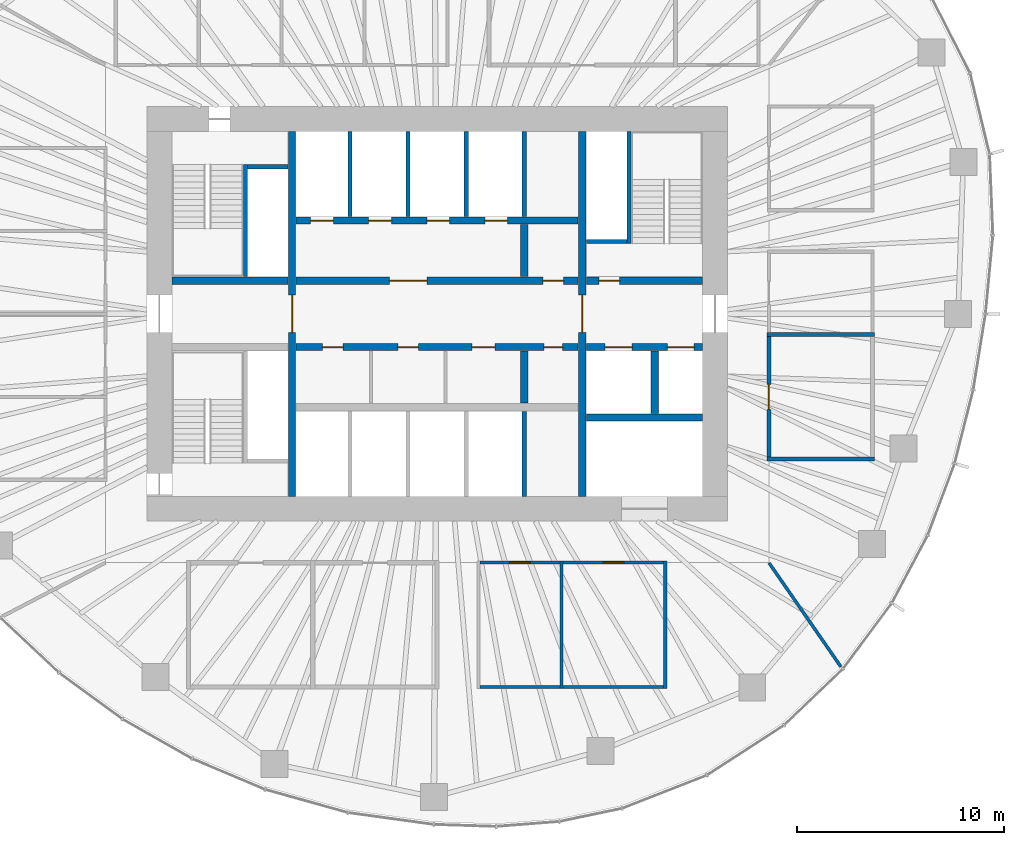
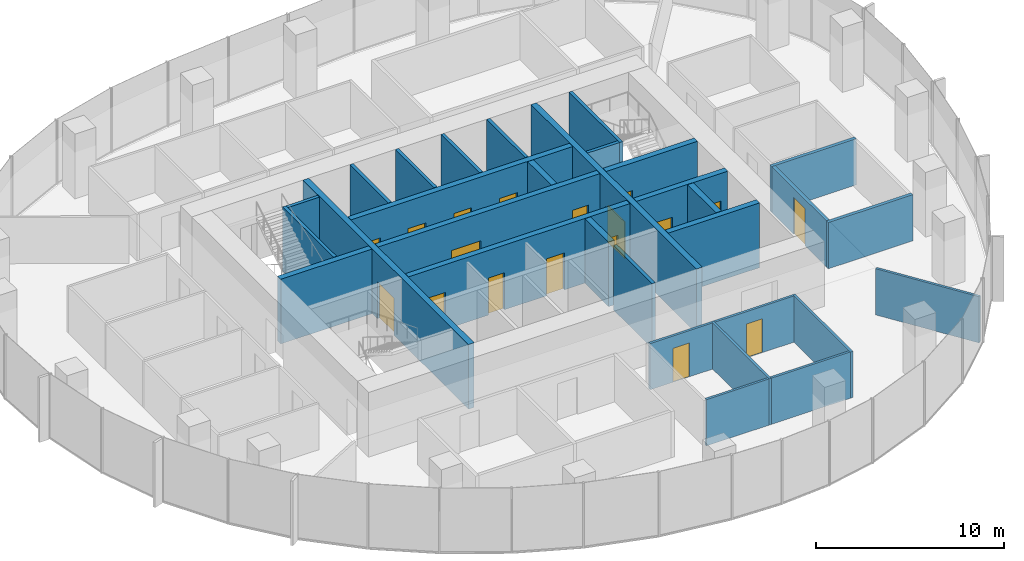
# One storey, part 9 of 12: 31 walls, 18 doors, 18 openings.
"""IFC4 building model written with IfcOpenShell, lengths in metres."""

from ifc_helpers import new_model, si_unit, direction, frame, frame_2d, origin, place, context, subcontext, project, spatial, rectangle, extrude, material, layer, layer_set, type_object, element, fill, save


model = new_model("IFC4")

# Units and contexts
model_context = context("Model", 3, precision=1e-05, world=origin(), true_north=direction((0.0, 1.0)))
body_context = subcontext(model_context, "Body", "Model", "MODEL_VIEW")
ifc_project = project(units=[si_unit("LENGTHUNIT", "METRE"), si_unit("AREAUNIT", "SQUARE_METRE"), si_unit("VOLUMEUNIT", "CUBIC_METRE"), si_unit("PLANEANGLEUNIT", "RADIAN"), si_unit("MASSUNIT", "GRAM", prefix="KILO")], contexts=[model_context])

# Site, building, storey
site_placement = place(None, origin())
site = spatial("IfcSite", under=ifc_project, at=site_placement, CompositionType="ELEMENT")
building_placement = place(site_placement, origin())
building = spatial("IfcBuilding", under=site, at=building_placement, Name="Ghaith Harvest Tower", CompositionType="ELEMENT")
storey_placement = place(building_placement, frame((0.0, 0.0, 199.0)))
storey = spatial("IfcBuildingStorey", under=building, at=storey_placement, Name="L43", CompositionType="ELEMENT", Elevation=199.0)

# Walls
ifc_material_1 = material(Name="Twin-stud gypsum board, acoustic", Category="gypsum")
ifc_layer_1 = layer(ifc_material_1, 0.199951171875)
ifc_layer_set_1 = layer_set([ifc_layer_1], Name="ACOUSTIC PARTITION 200")
wall_type_1 = type_object("IfcWallType", Name="ACOUSTIC PARTITION 200", PredefinedType="PARTITIONING", material=ifc_layer_set_1)
for number, where, z_axis, x_axis, name in (
    (1, (15.89990234375, -7.0, 0.0), (0.0, 0.0, 1.0), (1.0, 0.0, 0.0), "Partition L43 row E5 cross wall 1"),
    (2, (15.89990234375, -1.0, 0.0), (0.0, 0.0, 1.0), (1.0, 0.0, 0.0), "Partition L43 row E5 cross wall 2"),
):
    element("IfcWall", number, at=place(storey_placement, frame(where, z_axis=z_axis, x_axis=x_axis)), inside=storey, type_object=wall_type_1, Name=name, PredefinedType="PARTITIONING", context=body_context, shape_type="SweptSolid", body=[
        extrude(rectangle(XDim=5.2001953125, YDim=0.199951171875, at=frame_2d((2.60009765625, 0.0))), origin(), (0.0, 0.0, 1.0), 3.0),
    ])

# Wall, opening, door
wall_1_placement = place(storey_placement, frame((16.0, -6.89990234375, 0.0), z_axis=(0.0, 0.0, 1.0), x_axis=(0.0, 1.0, 0.0)))
wall_1 = element("IfcWall", 3, at=wall_1_placement, inside=storey, type_object=wall_type_1, Name="Partition L43-11", PredefinedType="PARTITIONING", context=body_context, shape_type="SweptSolid", body=[
    extrude(rectangle(XDim=5.7998046875, YDim=0.199951171875, at=frame_2d((2.89990234375, 0.0))), origin(), (0.0, 0.0, 1.0), 3.0),
])
opening_1_placement = place(wall_1_placement, frame((2.300048828125, 0.0, 0.0)))
opening_1 = element("IfcOpeningElement", 4, at=opening_1_placement, cuts=wall_1, Name="Opening 43-031", PredefinedType="OPENING", context=body_context, shape_type="SweptSolid", body=[
    extrude(rectangle(XDim=1.199951171875, YDim=2.39990234375, at=frame_2d((0.60009765625, 1.199951171875))), frame((0.0, 0.10986328125, 0.0), z_axis=(0.0, -1.0, 0.0), x_axis=(1.0, 0.0, 0.0)), (0.0, 0.0, 1.0), 0.219970703125),
])
ifc_material_2 = material(Name="Timber door", Category="wood")
door_type_1 = type_object("IfcDoorType", Name="D11 GLAZED 1200x2400", OperationType="SINGLE_SWING_LEFT", PredefinedType="DOOR", material=ifc_material_2)
door_1_placement = place(opening_1_placement, origin())
door_1 = element("IfcDoor", 5, at=door_1_placement, inside=storey, type_object=door_type_1, Name="Meeting room door", OperationType="SINGLE_SWING_LEFT", OverallHeight=2.39990234375, OverallWidth=1.199951171875, PredefinedType="DOOR", context=body_context, shape_type="SweptSolid", body=[
    extrude(rectangle(XDim=1.199951171875, YDim=2.39990234375, at=frame_2d((0.60009765625, 1.199951171875))), frame((0.0, 0.02490234375, 0.0), z_axis=(0.0, -1.0, 0.0), x_axis=(1.0, 0.0, 0.0)), (0.0, 0.0, 1.0), 0.050048828125),
])
fill(opening_1, door_1)

# Walls
ifc_material_3 = material(Name="Concrete blockwork, 2-hour", Category="masonry")
ifc_layer_2 = layer(ifc_material_3, 0.199951171875)
ifc_layer_set_2 = layer_set([ifc_layer_2], Name="LIFT SHAFT WALL 200")
wall_type_2 = type_object("IfcWallType", Name="LIFT SHAFT WALL 200", PredefinedType="PARTITIONING", material=ifc_layer_set_2)
for number, where, z_axis, x_axis, name in (
    (6, (-4.199951171875, 4.699951171875, 0.0), (0.0, 0.0, 1.0), (0.0, 1.0, 0.0), "Lift shaft wall L43"),
    (7, (-1.39990234375, 4.699951171875, 0.0), (0.0, 0.0, 1.0), (0.0, 1.0, 0.0), "Lift shaft wall L43"),
    (8, (1.39990234375, 4.699951171875, 0.0), (0.0, 0.0, 1.0), (0.0, 1.0, 0.0), "Lift shaft wall L43"),
    (9, (4.199951171875, 4.699951171875, 0.0), (0.0, 0.0, 1.0), (0.0, 1.0, 0.0), "Lift shaft wall L43"),
    (10, (4.199951171875, -4.699951171875, 0.0), (0.0, 0.0, 1.0), (0.0, -1.0, 0.0), "Lift shaft wall L43"),
):
    element("IfcWall", number, at=place(storey_placement, frame(where, z_axis=z_axis, x_axis=x_axis)), inside=storey, type_object=wall_type_2, Name=name, PredefinedType="PARTITIONING", context=body_context, shape_type="SweptSolid", body=[
        extrude(rectangle(XDim=4.10009765625, YDim=0.199951171875, at=frame_2d((2.050048828125, 0.0))), origin(), (0.0, 0.0, 1.0), 4.199951171875),
    ])
ifc_material_4 = material(Name="Gypsum board on steel studs", Category="steel")
ifc_layer_3 = layer(ifc_material_4, 0.14990234375)
ifc_layer_set_3 = layer_set([ifc_layer_3], Name="PARTITION 150")
wall_type_3 = type_object("IfcWallType", Name="PARTITION 150", PredefinedType="PARTITIONING", material=ifc_layer_set_3)
for number, where, z_axis, x_axis, name in (
    (11, (6.0, -11.925048828125, 0.0), (0.0, 0.0, 1.0), (0.0, -1.0, 0.0), "Partition L43 row S4 cross wall 2"),
    (12, (11.0, -11.925048828125, 0.0), (0.0, 0.0, 1.0), (0.0, -1.0, 0.0), "Partition L43 row S4 cross wall 3"),
):
    element("IfcWall", number, at=place(storey_placement, frame(where, z_axis=z_axis, x_axis=x_axis)), inside=storey, type_object=wall_type_3, Name=name, PredefinedType="PARTITIONING", context=body_context, shape_type="SweptSolid", body=[
        extrude(rectangle(XDim=6.14990234375, YDim=0.14990234375, at=frame_2d((3.074951171875, 0.0))), origin(), (0.0, 0.0, 1.0), 3.0),
    ])

# Wall, opening, door
wall_2_placement = place(storey_placement, frame((2.074951171875, -12.0, 0.0), z_axis=(0.0, 0.0, 1.0), x_axis=(1.0, 0.0, 0.0)))
wall_2 = element("IfcWall", 13, at=wall_2_placement, inside=storey, type_object=wall_type_3, Name="Partition L43-09", PredefinedType="PARTITIONING", context=body_context, shape_type="SweptSolid", body=[
    extrude(rectangle(XDim=3.85009765625, YDim=0.14990234375, at=frame_2d((1.925048828125, 0.0))), origin(), (0.0, 0.0, 1.0), 3.0),
])
opening_2_placement = place(wall_2_placement, frame((1.425048828125, 0.0, 0.0)))
opening_2 = element("IfcOpeningElement", 14, at=opening_2_placement, cuts=wall_2, Name="Opening 43-029", PredefinedType="OPENING", context=body_context, shape_type="SweptSolid", body=[
    extrude(rectangle(XDim=1.0, YDim=2.199951171875, at=frame_2d((0.5, 1.10009765625))), frame((0.0, 0.0849609375, 0.0), z_axis=(0.0, -1.0, 0.0), x_axis=(1.0, 0.0, 0.0)), (0.0, 0.0, 1.0), 0.169921875),
])
ifc_material_5 = material(Name="Timber door", Category="wood")
door_type_2 = type_object("IfcDoorType", Name="D1 SINGLE 1000x2200", OperationType="SINGLE_SWING_LEFT", PredefinedType="DOOR", material=ifc_material_5)
door_2_placement = place(opening_2_placement, origin())
door_2 = element("IfcDoor", 15, at=door_2_placement, inside=storey, type_object=door_type_2, Name="Store door", OperationType="SINGLE_SWING_LEFT", OverallHeight=2.199951171875, OverallWidth=1.0, PredefinedType="DOOR", context=body_context, shape_type="SweptSolid", body=[
    extrude(rectangle(XDim=1.0, YDim=2.199951171875, at=frame_2d((0.5, 1.10009765625))), frame((0.0, 0.02490234375, 0.0), z_axis=(0.0, -1.0, 0.0), x_axis=(1.0, 0.0, 0.0)), (0.0, 0.0, 1.0), 0.050048828125),
])
fill(opening_2, door_2)

# Wall
wall_3_placement = place(storey_placement, frame((2.074951171875, -18.0, 0.0), z_axis=(0.0, 0.0, 1.0), x_axis=(1.0, 0.0, 0.0)))
element("IfcWall", 16, at=wall_3_placement, inside=storey, type_object=wall_type_3, Name="Partition L43-09", PredefinedType="PARTITIONING", context=body_context, shape_type="SweptSolid", body=[
    extrude(rectangle(XDim=3.85009765625, YDim=0.14990234375, at=frame_2d((1.925048828125, 0.0))), origin(), (0.0, 0.0, 1.0), 3.0),
])

# Wall, opening, door
wall_4_placement = place(storey_placement, frame((6.074951171875, -12.0, 0.0), z_axis=(0.0, 0.0, 1.0), x_axis=(1.0, 0.0, 0.0)))
wall_4 = element("IfcWall", 17, at=wall_4_placement, inside=storey, type_object=wall_type_3, Name="Partition L43-10", PredefinedType="PARTITIONING", context=body_context, shape_type="SweptSolid", body=[
    extrude(rectangle(XDim=4.85009765625, YDim=0.14990234375, at=frame_2d((2.425048828125, 0.0))), origin(), (0.0, 0.0, 1.0), 3.0),
])
opening_3_placement = place(wall_4_placement, frame((1.925048828125, 0.0, 0.0)))
opening_3 = element("IfcOpeningElement", 18, at=opening_3_placement, cuts=wall_4, Name="Opening 43-030", PredefinedType="OPENING", context=body_context, shape_type="SweptSolid", body=[
    extrude(rectangle(XDim=1.0, YDim=2.199951171875, at=frame_2d((0.5, 1.10009765625))), frame((0.0, 0.0849609375, 0.0), z_axis=(0.0, -1.0, 0.0), x_axis=(1.0, 0.0, 0.0)), (0.0, 0.0, 1.0), 0.169921875),
])
door_3_placement = place(opening_3_placement, origin())
door_3 = element("IfcDoor", 19, at=door_3_placement, inside=storey, type_object=door_type_2, Name="Print room door", OperationType="SINGLE_SWING_LEFT", OverallHeight=2.199951171875, OverallWidth=1.0, PredefinedType="DOOR", context=body_context, shape_type="SweptSolid", body=[
    extrude(rectangle(XDim=1.0, YDim=2.199951171875, at=frame_2d((0.5, 1.10009765625))), frame((0.0, 0.02490234375, 0.0), z_axis=(0.0, -1.0, 0.0), x_axis=(1.0, 0.0, 0.0)), (0.0, 0.0, 1.0), 0.050048828125),
])
fill(opening_3, door_3)

# Walls
wall_5_placement = place(storey_placement, frame((6.074951171875, -18.0, 0.0), z_axis=(0.0, 0.0, 1.0), x_axis=(1.0, 0.0, 0.0)))
element("IfcWall", 20, at=wall_5_placement, inside=storey, type_object=wall_type_3, Name="Partition L43-10", PredefinedType="PARTITIONING", context=body_context, shape_type="SweptSolid", body=[
    extrude(rectangle(XDim=4.85009765625, YDim=0.14990234375, at=frame_2d((2.425048828125, 0.0))), origin(), (0.0, 0.0, 1.0), 3.0),
])
wall_6_placement = place(storey_placement, frame((16.011474609375, -12.016357421875, 0.0), z_axis=(0.0, 0.0, 1.0), x_axis=(0.568863489071, -0.822431961199, 0.0)))
element("IfcWall", 21, at=wall_6_placement, inside=storey, type_object=wall_type_3, Name="Partition L43 zone division", PredefinedType="PARTITIONING", context=body_context, shape_type="SweptSolid", body=[
    extrude(rectangle(XDim=6.0830078125, YDim=0.14990234375, at=frame_2d((3.04150390625, 0.0))), origin(), (0.0, 0.0, 1.0), 3.0),
])

# Wall, opening, door
ifc_material_6 = material(Name="Concrete C60/75", Category="concrete")
ifc_layer_4 = layer(ifc_material_6, 0.35009765625)
ifc_layer_set_4 = layer_set([ifc_layer_4], Name="SHAFT WALL 350")
wall_type_4 = type_object("IfcWallType", Name="SHAFT WALL 350", PredefinedType="SHEAR", material=ifc_layer_set_4)
wall_7_placement = place(storey_placement, frame((-7.0, -8.800048828125, 0.0), z_axis=(0.0, 0.0, 1.0), x_axis=(0.0, 1.0, 0.0)))
wall_7 = element("IfcWall", 22, at=wall_7_placement, inside=storey, type_object=wall_type_4, Name="Shaft wall W7W L43", PredefinedType="SHEAR", context=body_context, shape_type="SweptSolid", body=[
    extrude(rectangle(XDim=17.60009765625, YDim=0.35009765625, at=frame_2d((8.800048828125, 0.0))), origin(), (0.0, 0.0, 1.0), 4.199951171875),
])
opening_4_placement = place(wall_7_placement, frame((7.89990234375, 0.0, 0.0)))
opening_4 = element("IfcOpeningElement", 23, at=opening_4_placement, cuts=wall_7, Name="Opening 43-003", PredefinedType="OPENING", context=body_context, shape_type="SweptSolid", body=[
    extrude(rectangle(XDim=1.800048828125, YDim=2.39990234375, at=frame_2d((0.89990234375, 1.199951171875))), frame((0.0, 0.18505859375, 0.0), z_axis=(0.0, -1.0, 0.0), x_axis=(1.0, 0.0, 0.0)), (0.0, 0.0, 1.0), 0.3701171875),
])
ifc_material_7 = material(Name="Steel fire door", Category="steel")
door_type_3 = type_object("IfcDoorType", Name="D4 FD90 PAIR 1800x2400", OperationType="DOUBLE_DOOR_SINGLE_SWING", PredefinedType="DOOR", material=ifc_material_7)
door_4_placement = place(opening_4_placement, origin())
door_4 = element("IfcDoor", 24, at=door_4_placement, inside=storey, type_object=door_type_3, Name="Lift lobby doors, west", OperationType="DOUBLE_DOOR_SINGLE_SWING", OverallHeight=2.39990234375, OverallWidth=1.800048828125, PredefinedType="DOOR", context=body_context, shape_type="SweptSolid", body=[
    extrude(rectangle(XDim=1.800048828125, YDim=2.39990234375, at=frame_2d((0.89990234375, 1.199951171875))), frame((0.0, 0.02490234375, 0.0), z_axis=(0.0, -1.0, 0.0), x_axis=(1.0, 0.0, 0.0)), (0.0, 0.0, 1.0), 0.050048828125),
])
fill(opening_4, door_4)

wall_8_placement = place(storey_placement, frame((7.0, -8.800048828125, 0.0), z_axis=(0.0, 0.0, 1.0), x_axis=(0.0, 1.0, 0.0)))
wall_8 = element("IfcWall", 25, at=wall_8_placement, inside=storey, type_object=wall_type_4, Name="Shaft wall W7E L43", PredefinedType="SHEAR", context=body_context, shape_type="SweptSolid", body=[
    extrude(rectangle(XDim=17.60009765625, YDim=0.35009765625, at=frame_2d((8.800048828125, 0.0))), origin(), (0.0, 0.0, 1.0), 4.199951171875),
])
opening_5_placement = place(wall_8_placement, frame((7.89990234375, 0.0, 0.0)))
opening_5 = element("IfcOpeningElement", 26, at=opening_5_placement, cuts=wall_8, Name="Opening 43-004", PredefinedType="OPENING", context=body_context, shape_type="SweptSolid", body=[
    extrude(rectangle(XDim=1.800048828125, YDim=2.39990234375, at=frame_2d((0.89990234375, 1.199951171875))), frame((0.0, 0.18505859375, 0.0), z_axis=(0.0, -1.0, 0.0), x_axis=(1.0, 0.0, 0.0)), (0.0, 0.0, 1.0), 0.3701171875),
])
door_5_placement = place(opening_5_placement, origin())
door_5 = element("IfcDoor", 27, at=door_5_placement, inside=storey, type_object=door_type_3, Name="Lift lobby doors, east", OperationType="DOUBLE_DOOR_SINGLE_SWING", OverallHeight=2.39990234375, OverallWidth=1.800048828125, PredefinedType="DOOR", context=body_context, shape_type="SweptSolid", body=[
    extrude(rectangle(XDim=1.800048828125, YDim=2.39990234375, at=frame_2d((0.89990234375, 1.199951171875))), frame((0.0, 0.02490234375, 0.0), z_axis=(0.0, -1.0, 0.0), x_axis=(1.0, 0.0, 0.0)), (0.0, 0.0, 1.0), 0.050048828125),
])
fill(opening_5, door_5)

# Wall, openings, doors
wall_9_placement = place(storey_placement, frame((-6.800048828125, 1.60009765625, 0.0), z_axis=(0.0, 0.0, 1.0), x_axis=(1.0, 0.0, 0.0)))
wall_9 = element("IfcWall", 28, at=wall_9_placement, inside=storey, type_object=wall_type_4, Name="Shaft wall LN L43", PredefinedType="SHEAR", context=body_context, shape_type="SweptSolid", body=[
    extrude(rectangle(XDim=13.60009765625, YDim=0.35009765625, at=frame_2d((6.800048828125, 0.0))), origin(), (0.0, 0.0, 1.0), 4.199951171875),
])
opening_6_placement = place(wall_9_placement, frame((11.89990234375, 0.0, 0.0)))
opening_6 = element("IfcOpeningElement", 29, at=opening_6_placement, cuts=wall_9, Name="Opening 43-011", PredefinedType="OPENING", context=body_context, shape_type="SweptSolid", body=[
    extrude(rectangle(XDim=1.0, YDim=2.39990234375, at=frame_2d((0.5, 1.199951171875))), frame((0.0, 0.18505859375, 0.0), z_axis=(0.0, -1.0, 0.0), x_axis=(1.0, 0.0, 0.0)), (0.0, 0.0, 1.0), 0.3701171875),
])
opening_7_placement = place(wall_9_placement, frame((4.5, 0.0, 0.0)))
opening_7 = element("IfcOpeningElement", 30, at=opening_7_placement, cuts=wall_9, Name="Opening 43-013", PredefinedType="OPENING", context=body_context, shape_type="SweptSolid", body=[
    extrude(rectangle(XDim=1.800048828125, YDim=2.39990234375, at=frame_2d((0.89990234375, 1.199951171875))), frame((0.0, 0.18505859375, 0.0), z_axis=(0.0, -1.0, 0.0), x_axis=(1.0, 0.0, 0.0)), (0.0, 0.0, 1.0), 0.3701171875),
])
ifc_material_8 = material(Name="Steel fire door", Category="steel")
door_type_4 = type_object("IfcDoorType", Name="D3 FD90 1000x2400", OperationType="SINGLE_SWING_LEFT", PredefinedType="DOOR", material=ifc_material_8)
door_6_placement = place(opening_6_placement, origin())
door_6 = element("IfcDoor", 31, at=door_6_placement, inside=storey, type_object=door_type_4, Name="Electrical room door", OperationType="SINGLE_SWING_RIGHT", OverallHeight=2.39990234375, OverallWidth=1.0, PredefinedType="DOOR", context=body_context, shape_type="SweptSolid", body=[
    extrude(rectangle(XDim=1.0, YDim=2.39990234375, at=frame_2d((0.5, 1.199951171875))), frame((0.0, 0.02490234375, 0.0), z_axis=(0.0, -1.0, 0.0), x_axis=(1.0, 0.0, 0.0)), (0.0, 0.0, 1.0), 0.050048828125),
])
fill(opening_6, door_6)
door_7_placement = place(opening_7_placement, origin())
door_7 = element("IfcDoor", 32, at=door_7_placement, inside=storey, type_object=door_type_3, Name="Lift lobby doors, high-rise bank", OperationType="DOUBLE_DOOR_SINGLE_SWING", OverallHeight=2.39990234375, OverallWidth=1.800048828125, PredefinedType="DOOR", context=body_context, shape_type="SweptSolid", body=[
    extrude(rectangle(XDim=1.800048828125, YDim=2.39990234375, at=frame_2d((0.89990234375, 1.199951171875))), frame((0.0, 0.02490234375, 0.0), z_axis=(0.0, -1.0, 0.0), x_axis=(1.0, 0.0, 0.0)), (0.0, 0.0, 1.0), 0.050048828125),
])
fill(opening_7, door_7)

wall_10_placement = place(storey_placement, frame((-6.800048828125, -1.60009765625, 0.0), z_axis=(0.0, 0.0, 1.0), x_axis=(1.0, 0.0, 0.0)))
wall_10 = element("IfcWall", 33, at=wall_10_placement, inside=storey, type_object=wall_type_4, Name="Shaft wall LS L43", PredefinedType="SHEAR", context=body_context, shape_type="SweptSolid", body=[
    extrude(rectangle(XDim=13.60009765625, YDim=0.35009765625, at=frame_2d((6.800048828125, 0.0))), origin(), (0.0, 0.0, 1.0), 4.199951171875),
])
opening_8_placement = place(wall_10_placement, frame((1.264892578125, 0.0, 0.0)))
opening_8 = element("IfcOpeningElement", 34, at=opening_8_placement, cuts=wall_10, Name="Opening 43-008", PredefinedType="OPENING", context=body_context, shape_type="SweptSolid", body=[
    extrude(rectangle(XDim=1.0, YDim=2.39990234375, at=frame_2d((0.5, 1.199951171875))), frame((0.0, 0.18505859375, 0.0), z_axis=(0.0, -1.0, 0.0), x_axis=(1.0, 0.0, 0.0)), (0.0, 0.0, 1.0), 0.3701171875),
])
opening_9_placement = place(wall_10_placement, frame((4.89990234375, 0.0, 0.0)))
opening_9 = element("IfcOpeningElement", 35, at=opening_9_placement, cuts=wall_10, Name="Opening 43-009", PredefinedType="OPENING", context=body_context, shape_type="SweptSolid", body=[
    extrude(rectangle(XDim=1.0, YDim=2.39990234375, at=frame_2d((0.5, 1.199951171875))), frame((0.0, 0.18505859375, 0.0), z_axis=(0.0, -1.0, 0.0), x_axis=(1.0, 0.0, 0.0)), (0.0, 0.0, 1.0), 0.3701171875),
])
opening_10_placement = place(wall_10_placement, frame((8.485107421875, 0.0, 0.0)))
opening_10 = element("IfcOpeningElement", 36, at=opening_10_placement, cuts=wall_10, Name="Opening 43-010", PredefinedType="OPENING", context=body_context, shape_type="SweptSolid", body=[
    extrude(rectangle(XDim=1.10009765625, YDim=2.39990234375, at=frame_2d((0.550048828125, 1.199951171875))), frame((0.0, 0.18505859375, 0.0), z_axis=(0.0, -1.0, 0.0), x_axis=(1.0, 0.0, 0.0)), (0.0, 0.0, 1.0), 0.3701171875),
])
opening_11_placement = place(wall_10_placement, frame((11.949951171875, 0.0, 0.0)))
opening_11 = element("IfcOpeningElement", 37, at=opening_11_placement, cuts=wall_10, Name="Opening 43-012", PredefinedType="OPENING", context=body_context, shape_type="SweptSolid", body=[
    extrude(rectangle(XDim=0.89990234375, YDim=2.39990234375, at=frame_2d((0.449951171875, 1.199951171875))), frame((0.0, 0.18505859375, 0.0), z_axis=(0.0, -1.0, 0.0), x_axis=(1.0, 0.0, 0.0)), (0.0, 0.0, 1.0), 0.3701171875),
])
door_8_placement = place(opening_8_placement, origin())
door_8 = element("IfcDoor", 38, at=door_8_placement, inside=storey, type_object=door_type_4, Name="Male WC door", OperationType="SINGLE_SWING_LEFT", OverallHeight=2.39990234375, OverallWidth=1.0, PredefinedType="DOOR", context=body_context, shape_type="SweptSolid", body=[
    extrude(rectangle(XDim=1.0, YDim=2.39990234375, at=frame_2d((0.5, 1.199951171875))), frame((0.0, 0.02490234375, 0.0), z_axis=(0.0, -1.0, 0.0), x_axis=(1.0, 0.0, 0.0)), (0.0, 0.0, 1.0), 0.050048828125),
])
fill(opening_8, door_8)
door_9_placement = place(opening_9_placement, origin())
door_9 = element("IfcDoor", 39, at=door_9_placement, inside=storey, type_object=door_type_4, Name="Female WC door", OperationType="SINGLE_SWING_LEFT", OverallHeight=2.39990234375, OverallWidth=1.0, PredefinedType="DOOR", context=body_context, shape_type="SweptSolid", body=[
    extrude(rectangle(XDim=1.0, YDim=2.39990234375, at=frame_2d((0.5, 1.199951171875))), frame((0.0, 0.02490234375, 0.0), z_axis=(0.0, -1.0, 0.0), x_axis=(1.0, 0.0, 0.0)), (0.0, 0.0, 1.0), 0.050048828125),
])
fill(opening_9, door_9)
ifc_material_9 = material(Name="Steel fire door", Category="steel")
door_type_5 = type_object("IfcDoorType", Name="D5 FD90 900x2400", OperationType="SINGLE_SWING_LEFT", PredefinedType="DOOR", material=ifc_material_9)
door_10_placement = place(opening_11_placement, origin())
door_10 = element("IfcDoor", 40, at=door_10_placement, inside=storey, type_object=door_type_5, Name="Cleaner's store door", OperationType="SINGLE_SWING_RIGHT", OverallHeight=2.39990234375, OverallWidth=0.89990234375, PredefinedType="DOOR", context=body_context, shape_type="SweptSolid", body=[
    extrude(rectangle(XDim=0.89990234375, YDim=2.39990234375, at=frame_2d((0.449951171875, 1.199951171875))), frame((0.0, 0.02490234375, 0.0), z_axis=(0.0, -1.0, 0.0), x_axis=(1.0, 0.0, 0.0)), (0.0, 0.0, 1.0), 0.050048828125),
])
fill(opening_11, door_10)
ifc_material_10 = material(Name="Steel fire door", Category="steel")
door_type_6 = type_object("IfcDoorType", Name="D9 FD90 1100x2400", OperationType="SINGLE_SWING_LEFT", PredefinedType="DOOR", material=ifc_material_10)
door_11_placement = place(opening_10_placement, origin())
door_11 = element("IfcDoor", 41, at=door_11_placement, inside=storey, type_object=door_type_6, Name="Accessible WC door", OperationType="SINGLE_SWING_RIGHT", OverallHeight=2.39990234375, OverallWidth=1.10009765625, PredefinedType="DOOR", context=body_context, shape_type="SweptSolid", body=[
    extrude(rectangle(XDim=1.10009765625, YDim=2.39990234375, at=frame_2d((0.550048828125, 1.199951171875))), frame((0.0, 0.02490234375, 0.0), z_axis=(0.0, -1.0, 0.0), x_axis=(1.0, 0.0, 0.0)), (0.0, 0.0, 1.0), 0.050048828125),
])
fill(opening_10, door_11)

wall_11_placement = place(storey_placement, frame((-6.800048828125, 4.5, 0.0), z_axis=(0.0, 0.0, 1.0), x_axis=(1.0, 0.0, 0.0)))
wall_11 = element("IfcWall", 42, at=wall_11_placement, inside=storey, type_object=wall_type_4, Name="Shaft wall BN L43", PredefinedType="SHEAR", context=body_context, shape_type="SweptSolid", body=[
    extrude(rectangle(XDim=13.60009765625, YDim=0.35009765625, at=frame_2d((6.800048828125, 0.0))), origin(), (0.0, 0.0, 1.0), 4.199951171875),
])
opening_12_placement = place(wall_11_placement, frame((0.699951171875, 0.0, 0.0)))
opening_12 = element("IfcOpeningElement", 43, at=opening_12_placement, cuts=wall_11, Name="Opening 43-014", PredefinedType="OPENING", context=body_context, shape_type="SweptSolid", body=[
    extrude(rectangle(XDim=1.10009765625, YDim=2.39990234375, at=frame_2d((0.550048828125, 1.199951171875))), frame((0.0, 0.18505859375, 0.0), z_axis=(0.0, -1.0, 0.0), x_axis=(1.0, 0.0, 0.0)), (0.0, 0.0, 1.0), 0.3701171875),
])
opening_13_placement = place(wall_11_placement, frame((3.5, 0.0, 0.0)))
opening_13 = element("IfcOpeningElement", 44, at=opening_13_placement, cuts=wall_11, Name="Opening 43-015", PredefinedType="OPENING", context=body_context, shape_type="SweptSolid", body=[
    extrude(rectangle(XDim=1.10009765625, YDim=2.39990234375, at=frame_2d((0.550048828125, 1.199951171875))), frame((0.0, 0.18505859375, 0.0), z_axis=(0.0, -1.0, 0.0), x_axis=(1.0, 0.0, 0.0)), (0.0, 0.0, 1.0), 0.3701171875),
])
opening_14_placement = place(wall_11_placement, frame((6.300048828125, 0.0, 0.0)))
opening_14 = element("IfcOpeningElement", 45, at=opening_14_placement, cuts=wall_11, Name="Opening 43-016", PredefinedType="OPENING", context=body_context, shape_type="SweptSolid", body=[
    extrude(rectangle(XDim=1.10009765625, YDim=2.39990234375, at=frame_2d((0.550048828125, 1.199951171875))), frame((0.0, 0.18505859375, 0.0), z_axis=(0.0, -1.0, 0.0), x_axis=(1.0, 0.0, 0.0)), (0.0, 0.0, 1.0), 0.3701171875),
])
opening_15_placement = place(wall_11_placement, frame((9.10009765625, 0.0, 0.0)))
opening_15 = element("IfcOpeningElement", 46, at=opening_15_placement, cuts=wall_11, Name="Opening 43-017", PredefinedType="OPENING", context=body_context, shape_type="SweptSolid", body=[
    extrude(rectangle(XDim=1.10009765625, YDim=2.39990234375, at=frame_2d((0.550048828125, 1.199951171875))), frame((0.0, 0.18505859375, 0.0), z_axis=(0.0, -1.0, 0.0), x_axis=(1.0, 0.0, 0.0)), (0.0, 0.0, 1.0), 0.3701171875),
])
ifc_material_11 = material(Name="Steel fire door", Category="steel")
door_type_7 = type_object("IfcDoorType", Name="LD1 LANDING 1100x2400", OperationType="DOUBLE_DOOR_SLIDING", PredefinedType="DOOR", material=ifc_material_11)
door_12_placement = place(opening_12_placement, origin())
door_12 = element("IfcDoor", 47, at=door_12_placement, inside=storey, type_object=door_type_7, Name="Landing door, lift HR1", OperationType="DOUBLE_DOOR_SLIDING", OverallHeight=2.39990234375, OverallWidth=1.10009765625, PredefinedType="DOOR", context=body_context, shape_type="SweptSolid", body=[
    extrude(rectangle(XDim=1.10009765625, YDim=2.39990234375, at=frame_2d((0.550048828125, 1.199951171875))), frame((0.0, 0.02490234375, 0.0), z_axis=(0.0, -1.0, 0.0), x_axis=(1.0, 0.0, 0.0)), (0.0, 0.0, 1.0), 0.050048828125),
])
fill(opening_12, door_12)
door_13_placement = place(opening_13_placement, origin())
door_13 = element("IfcDoor", 48, at=door_13_placement, inside=storey, type_object=door_type_7, Name="Landing door, lift HR2", OperationType="DOUBLE_DOOR_SLIDING", OverallHeight=2.39990234375, OverallWidth=1.10009765625, PredefinedType="DOOR", context=body_context, shape_type="SweptSolid", body=[
    extrude(rectangle(XDim=1.10009765625, YDim=2.39990234375, at=frame_2d((0.550048828125, 1.199951171875))), frame((0.0, 0.02490234375, 0.0), z_axis=(0.0, -1.0, 0.0), x_axis=(1.0, 0.0, 0.0)), (0.0, 0.0, 1.0), 0.050048828125),
])
fill(opening_13, door_13)
door_14_placement = place(opening_14_placement, origin())
door_14 = element("IfcDoor", 49, at=door_14_placement, inside=storey, type_object=door_type_7, Name="Landing door, lift HR3", OperationType="DOUBLE_DOOR_SLIDING", OverallHeight=2.39990234375, OverallWidth=1.10009765625, PredefinedType="DOOR", context=body_context, shape_type="SweptSolid", body=[
    extrude(rectangle(XDim=1.10009765625, YDim=2.39990234375, at=frame_2d((0.550048828125, 1.199951171875))), frame((0.0, 0.02490234375, 0.0), z_axis=(0.0, -1.0, 0.0), x_axis=(1.0, 0.0, 0.0)), (0.0, 0.0, 1.0), 0.050048828125),
])
fill(opening_14, door_14)
door_15_placement = place(opening_15_placement, origin())
door_15 = element("IfcDoor", 50, at=door_15_placement, inside=storey, type_object=door_type_7, Name="Landing door, lift HR4", OperationType="DOUBLE_DOOR_SLIDING", OverallHeight=2.39990234375, OverallWidth=1.10009765625, PredefinedType="DOOR", context=body_context, shape_type="SweptSolid", body=[
    extrude(rectangle(XDim=1.10009765625, YDim=2.39990234375, at=frame_2d((0.550048828125, 1.199951171875))), frame((0.0, 0.02490234375, 0.0), z_axis=(0.0, -1.0, 0.0), x_axis=(1.0, 0.0, 0.0)), (0.0, 0.0, 1.0), 0.050048828125),
])
fill(opening_15, door_15)

# Wall
wall_12_placement = place(storey_placement, frame((-12.800048828125, 1.60009765625, 0.0), z_axis=(0.0, 0.0, 1.0), x_axis=(1.0, 0.0, 0.0)))
element("IfcWall", 51, at=wall_12_placement, inside=storey, type_object=wall_type_4, Name="Shaft wall WN L43", PredefinedType="SHEAR", context=body_context, shape_type="SweptSolid", body=[
    extrude(rectangle(XDim=5.60009765625, YDim=0.35009765625, at=frame_2d((2.800048828125, 0.0))), origin(), (0.0, 0.0, 1.0), 4.199951171875),
])

# Wall, opening, door
wall_13_placement = place(storey_placement, frame((7.199951171875, 1.60009765625, 0.0), z_axis=(0.0, 0.0, 1.0), x_axis=(1.0, 0.0, 0.0)))
wall_13 = element("IfcWall", 52, at=wall_13_placement, inside=storey, type_object=wall_type_4, Name="Shaft wall EN L43", PredefinedType="SHEAR", context=body_context, shape_type="SweptSolid", body=[
    extrude(rectangle(XDim=5.60009765625, YDim=0.35009765625, at=frame_2d((2.800048828125, 0.0))), origin(), (0.0, 0.0, 1.0), 4.199951171875),
])
opening_16_placement = place(wall_13_placement, frame((0.60009765625, 0.0, 0.0)))
opening_16 = element("IfcOpeningElement", 53, at=opening_16_placement, cuts=wall_13, Name="Opening 43-007", PredefinedType="OPENING", context=body_context, shape_type="SweptSolid", body=[
    extrude(rectangle(XDim=1.0, YDim=2.39990234375, at=frame_2d((0.5, 1.199951171875))), frame((0.0, 0.18505859375, 0.0), z_axis=(0.0, -1.0, 0.0), x_axis=(1.0, 0.0, 0.0)), (0.0, 0.0, 1.0), 0.3701171875),
])
door_16_placement = place(opening_16_placement, origin())
door_16 = element("IfcDoor", 54, at=door_16_placement, inside=storey, type_object=door_type_4, Name="Stair ST2 door", OperationType="SINGLE_SWING_LEFT", OverallHeight=2.39990234375, OverallWidth=1.0, PredefinedType="DOOR", context=body_context, shape_type="SweptSolid", body=[
    extrude(rectangle(XDim=1.0, YDim=2.39990234375, at=frame_2d((0.5, 1.199951171875))), frame((0.0, 0.02490234375, 0.0), z_axis=(0.0, -1.0, 0.0), x_axis=(1.0, 0.0, 0.0)), (0.0, 0.0, 1.0), 0.050048828125),
])
fill(opening_16, door_16)

# Wall, openings, doors
wall_14_placement = place(storey_placement, frame((7.199951171875, -1.60009765625, 0.0), z_axis=(0.0, 0.0, 1.0), x_axis=(1.0, 0.0, 0.0)))
wall_14 = element("IfcWall", 55, at=wall_14_placement, inside=storey, type_object=wall_type_4, Name="Shaft wall ES L43", PredefinedType="SHEAR", context=body_context, shape_type="SweptSolid", body=[
    extrude(rectangle(XDim=5.60009765625, YDim=0.35009765625, at=frame_2d((2.800048828125, 0.0))), origin(), (0.0, 0.0, 1.0), 4.199951171875),
])
opening_17_placement = place(wall_14_placement, frame((0.89990234375, 0.0, 0.0)))
opening_17 = element("IfcOpeningElement", 56, at=opening_17_placement, cuts=wall_14, Name="Opening 43-018", PredefinedType="OPENING", context=body_context, shape_type="SweptSolid", body=[
    extrude(rectangle(XDim=1.300048828125, YDim=2.39990234375, at=frame_2d((0.64990234375, 1.199951171875))), frame((0.0, 0.18505859375, 0.0), z_axis=(0.0, -1.0, 0.0), x_axis=(1.0, 0.0, 0.0)), (0.0, 0.0, 1.0), 0.3701171875),
])
opening_18_placement = place(wall_14_placement, frame((3.89990234375, 0.0, 0.0)))
opening_18 = element("IfcOpeningElement", 57, at=opening_18_placement, cuts=wall_14, Name="Opening 43-019", PredefinedType="OPENING", context=body_context, shape_type="SweptSolid", body=[
    extrude(rectangle(XDim=1.300048828125, YDim=2.39990234375, at=frame_2d((0.64990234375, 1.199951171875))), frame((0.0, 0.18505859375, 0.0), z_axis=(0.0, -1.0, 0.0), x_axis=(1.0, 0.0, 0.0)), (0.0, 0.0, 1.0), 0.3701171875),
])
ifc_material_12 = material(Name="Steel fire door", Category="steel")
door_type_8 = type_object("IfcDoorType", Name="LD2 LANDING 1300x2400", OperationType="DOUBLE_DOOR_SLIDING", PredefinedType="DOOR", material=ifc_material_12)
door_17_placement = place(opening_17_placement, origin())
door_17 = element("IfcDoor", 58, at=door_17_placement, inside=storey, type_object=door_type_8, Name="Landing door, fire service lift FL1", OperationType="DOUBLE_DOOR_SLIDING", OverallHeight=2.39990234375, OverallWidth=1.300048828125, PredefinedType="DOOR", context=body_context, shape_type="SweptSolid", body=[
    extrude(rectangle(XDim=1.300048828125, YDim=2.39990234375, at=frame_2d((0.64990234375, 1.199951171875))), frame((0.0, 0.02490234375, 0.0), z_axis=(0.0, -1.0, 0.0), x_axis=(1.0, 0.0, 0.0)), (0.0, 0.0, 1.0), 0.050048828125),
])
fill(opening_17, door_17)
door_18_placement = place(opening_18_placement, origin())
door_18 = element("IfcDoor", 59, at=door_18_placement, inside=storey, type_object=door_type_8, Name="Landing door, fire service lift FL2", OperationType="DOUBLE_DOOR_SLIDING", OverallHeight=2.39990234375, OverallWidth=1.300048828125, PredefinedType="DOOR", context=body_context, shape_type="SweptSolid", body=[
    extrude(rectangle(XDim=1.300048828125, YDim=2.39990234375, at=frame_2d((0.64990234375, 1.199951171875))), frame((0.0, 0.02490234375, 0.0), z_axis=(0.0, -1.0, 0.0), x_axis=(1.0, 0.0, 0.0)), (0.0, 0.0, 1.0), 0.050048828125),
])
fill(opening_18, door_18)

# Walls
wall_15_placement = place(storey_placement, frame((10.5, -4.800048828125, 0.0), z_axis=(0.0, 0.0, 1.0), x_axis=(0.0, 1.0, 0.0)))
element("IfcWall", 60, at=wall_15_placement, inside=storey, type_object=wall_type_4, Name="Shaft wall FLD L43", PredefinedType="SHEAR", context=body_context, shape_type="SweptSolid", body=[
    extrude(rectangle(XDim=3.0, YDim=0.35009765625, at=frame_2d((1.5, 0.0))), origin(), (0.0, 0.0, 1.0), 4.199951171875),
])
wall_16_placement = place(storey_placement, frame((7.199951171875, -5.0, 0.0), z_axis=(0.0, 0.0, 1.0), x_axis=(1.0, 0.0, 0.0)))
element("IfcWall", 61, at=wall_16_placement, inside=storey, type_object=wall_type_4, Name="Shaft wall FLB L43", PredefinedType="SHEAR", context=body_context, shape_type="SweptSolid", body=[
    extrude(rectangle(XDim=5.60009765625, YDim=0.35009765625, at=frame_2d((2.800048828125, 0.0))), origin(), (0.0, 0.0, 1.0), 4.199951171875),
])
for number, where, z_axis, x_axis, name in (
    (62, (4.199951171875, 1.800048828125, 0.0), (0.0, 0.0, 1.0), (0.0, 1.0, 0.0), "Shaft wall DN4 L43"),
    (63, (4.199951171875, -4.300048828125, 0.0), (0.0, 0.0, 1.0), (0.0, 1.0, 0.0), "Shaft wall DS4 L43"),
):
    element("IfcWall", number, at=place(storey_placement, frame(where, z_axis=z_axis, x_axis=x_axis)), inside=storey, type_object=wall_type_4, Name=name, PredefinedType="SHEAR", context=body_context, shape_type="SweptSolid", body=[
        extrude(rectangle(XDim=2.5, YDim=0.35009765625, at=frame_2d((1.25, 0.0))), origin(), (0.0, 0.0, 1.0), 4.199951171875),
    ])
ifc_material_13 = material(Name="Concrete C40/50", Category="concrete")
ifc_layer_5 = layer(ifc_material_13, 0.199951171875)
ifc_layer_set_5 = layer_set([ifc_layer_5], Name="STAIR SPINE WALL RC200")
wall_type_5 = type_object("IfcWallType", Name="STAIR SPINE WALL RC200", PredefinedType="SOLIDWALL", material=ifc_layer_set_5)
wall_17_placement = place(storey_placement, frame((-9.25, 7.199951171875, 0.0), z_axis=(0.0, 0.0, 1.0), x_axis=(0.0, -1.0, 0.0)))
element("IfcWall", 64, at=wall_17_placement, inside=storey, type_object=wall_type_5, Name="Stair ST1 spine wall L43", PredefinedType="SOLIDWALL", context=body_context, shape_type="SweptSolid", body=[
    extrude(rectangle(XDim=5.39990234375, YDim=0.199951171875, at=frame_2d((2.699951171875, 0.0))), origin(), (0.0, 0.0, 1.0), 4.199951171875),
])
wall_18_placement = place(storey_placement, frame((-9.14990234375, 7.10009765625, 0.0), z_axis=(0.0, 0.0, 1.0), x_axis=(1.0, 0.0, 0.0)))
element("IfcWall", 65, at=wall_18_placement, inside=storey, type_object=wall_type_5, Name="Stair ST1 spine wall return L43", PredefinedType="SOLIDWALL", context=body_context, shape_type="SweptSolid", body=[
    extrude(rectangle(XDim=1.949951171875, YDim=0.199951171875, at=frame_2d((0.97509765625, 0.0))), origin(), (0.0, 0.0, 1.0), 4.199951171875),
])
wall_19_placement = place(storey_placement, frame((9.25, 3.39990234375, 0.0), z_axis=(0.0, 0.0, 1.0), x_axis=(0.0, 1.0, 0.0)))
element("IfcWall", 66, at=wall_19_placement, inside=storey, type_object=wall_type_5, Name="Stair ST2 spine wall L43", PredefinedType="SOLIDWALL", context=body_context, shape_type="SweptSolid", body=[
    extrude(rectangle(XDim=5.400146484375, YDim=0.199951171875, at=frame_2d((2.7001953125, 0.0))), origin(), (0.0, 0.0, 1.0), 4.199951171875),
])
wall_20_placement = place(storey_placement, frame((9.14990234375, 3.5, 0.0), z_axis=(0.0, 0.0, 1.0), x_axis=(-1.0, 0.0, 0.0)))
element("IfcWall", 67, at=wall_20_placement, inside=storey, type_object=wall_type_5, Name="Stair ST2 spine wall return L43", PredefinedType="SOLIDWALL", context=body_context, shape_type="SweptSolid", body=[
    extrude(rectangle(XDim=1.949951171875, YDim=0.199951171875, at=frame_2d((0.97509765625, 0.0))), origin(), (0.0, 0.0, 1.0), 4.199951171875),
])

save(model, "model.ifc")
